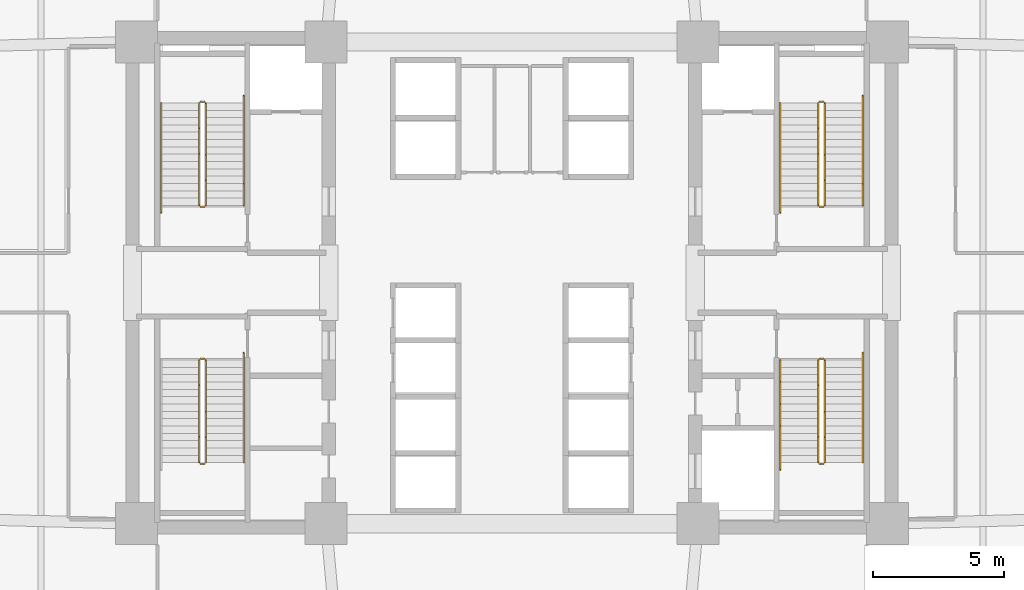
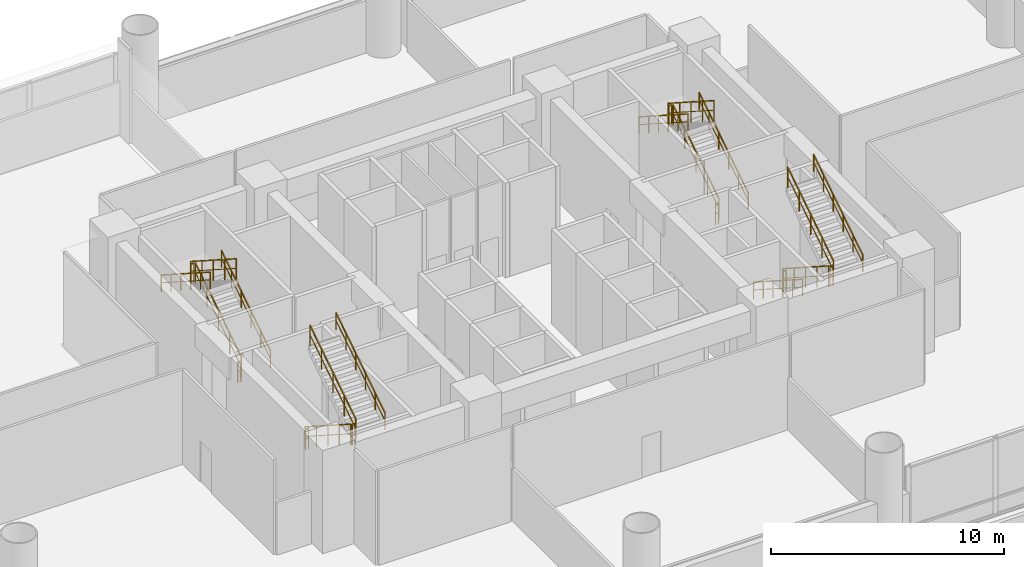
# One storey, part 11 of 12: 23 railings.
"""IFC4 building model written with IfcOpenShell, lengths in metres."""

from ifc_helpers import new_model, si_unit, direction, frame, origin, origin_2d, place, context, subcontext, project, spatial, rectangle, extrude, material, type_object, element, save


model = new_model("IFC4")

# Units and contexts
model_context = context("Model", 3, precision=1e-05, world=origin(), true_north=direction((0.0, 1.0)))
body_context = subcontext(model_context, "Body", "Model", "MODEL_VIEW")
ifc_project = project(units=[si_unit("LENGTHUNIT", "METRE"), si_unit("AREAUNIT", "SQUARE_METRE"), si_unit("VOLUMEUNIT", "CUBIC_METRE"), si_unit("PLANEANGLEUNIT", "RADIAN"), si_unit("MASSUNIT", "GRAM", prefix="KILO")], contexts=[model_context])

# Site, building, storey
site_placement = place(None, origin())
site = spatial("IfcSite", under=ifc_project, at=site_placement, CompositionType="ELEMENT")
building_placement = place(site_placement, origin())
building = spatial("IfcBuilding", under=site, at=building_placement, Name="Zahravan Cultural Tower", CompositionType="ELEMENT")
storey_placement = place(building_placement, frame((0.0, 0.0, 18.0)))
storey = spatial("IfcBuildingStorey", under=building, at=storey_placement, Name="L03", CompositionType="ELEMENT", Elevation=18.0)

# Railings
ifc_material = material(Name="Steel ASTM A572 Grade 50", Category="steel")
railing_type_1 = type_object("IfcRailingType", Name="RL-STAIR-GRD1150", PredefinedType="BALUSTRADE", material=ifc_material)
railing_1_placement = place(storey_placement, frame((24.300048828125, 29.949951171875, 0.179931640625)))
element("IfcRailing", 1, at=railing_1_placement, inside=storey, type_object=railing_type_1, Name="L03 ST-W1 stair guard 1", PredefinedType="BALUSTRADE", context=body_context, shape_type="SweptSolid", body=[
    extrude(rectangle(XDim=0.05, YDim=0.05, at=origin_2d()), frame((0.0, 0.0, 1.0751953125), z_axis=(0.0, 0.841186985886, 0.540744352514), x_axis=(-1.0, 0.0, 0.0)), (0.0, 0.0, 1.0), 4.660400390625),
    extrude(rectangle(XDim=0.032, YDim=0.032, at=origin_2d()), frame((0.0, 0.0, 0.572021484375), z_axis=(0.0, 0.841186985886, 0.540744352514), x_axis=(-1.0, 0.0, 0.0)), (0.0, 0.0, 1.0), 4.660400390625),
    extrude(rectangle(XDim=0.04, YDim=0.04, at=origin_2d()), origin(), (0.0, 0.0, 1.0), 1.10009765625),
    extrude(rectangle(XDim=0.04, YDim=0.04, at=origin_2d()), frame((0.0, 0.97998046875, 0.6298828125)), (0.0, 0.0, 1.0), 1.10009765625),
    extrude(rectangle(XDim=0.04, YDim=0.04, at=origin_2d()), frame((0.0, 1.9599609375, 1.260009765625)), (0.0, 0.0, 1.0), 1.10009765625),
    extrude(rectangle(XDim=0.04, YDim=0.04, at=origin_2d()), frame((0.0, 2.940185546875, 1.89013671875)), (0.0, 0.0, 1.0), 1.10009765625),
    extrude(rectangle(XDim=0.04, YDim=0.04, at=origin_2d()), frame((0.0, 3.920166015625, 2.52001953125)), (0.0, 0.0, 1.0), 1.10009765625),
])
railing_2_placement = place(storey_placement, frame((24.25, 33.919921875, 2.699951171875)))
element("IfcRailing", 2, at=railing_2_placement, inside=storey, type_object=railing_type_1, Name="L03 ST-W1 stair guard 2", PredefinedType="BALUSTRADE", context=body_context, shape_type="SweptSolid", body=[
    extrude(rectangle(XDim=0.05, YDim=0.05, at=origin_2d()), frame((0.0, 0.0, 1.0751953125), z_axis=(-1.0, 0.0, 0.0), x_axis=(0.0, -1.0, 0.0)), (0.0, 0.0, 1.0), 0.14990234375),
    extrude(rectangle(XDim=0.032, YDim=0.032, at=origin_2d()), frame((0.0, 0.0, 0.572021484375), z_axis=(-1.0, 0.0, 0.0), x_axis=(0.0, -1.0, 0.0)), (0.0, 0.0, 1.0), 0.14990234375),
    extrude(rectangle(XDim=0.04, YDim=0.04, at=origin_2d()), origin(), (0.0, 0.0, 1.0), 1.10009765625),
    extrude(rectangle(XDim=0.04, YDim=0.04, at=origin_2d()), frame((-0.14990234375, 0.0, 0.0)), (0.0, 0.0, 1.0), 1.10009765625),
])
railing_3_placement = place(storey_placement, frame((24.050048828125, 33.8701171875, 2.8798828125)))
element("IfcRailing", 3, at=railing_3_placement, inside=storey, type_object=railing_type_1, Name="L03 ST-W1 stair guard 3", PredefinedType="BALUSTRADE", context=body_context, shape_type="SweptSolid", body=[
    extrude(rectangle(XDim=0.05, YDim=0.05, at=origin_2d()), frame((0.0, 0.0, 1.0751953125), z_axis=(0.0, -0.841186985886, 0.540744352514), x_axis=(1.0, 0.0, 0.0)), (0.0, 0.0, 1.0), 4.660400390625),
    extrude(rectangle(XDim=0.032, YDim=0.032, at=origin_2d()), frame((0.0, 0.0, 0.572021484375), z_axis=(0.0, -0.841186985886, 0.540744352514), x_axis=(1.0, 0.0, 0.0)), (0.0, 0.0, 1.0), 4.660400390625),
    extrude(rectangle(XDim=0.04, YDim=0.04, at=origin_2d()), origin(), (0.0, 0.0, 1.0), 1.10009765625),
    extrude(rectangle(XDim=0.04, YDim=0.04, at=origin_2d()), frame((0.0, -0.97998046875, 0.6298828125)), (0.0, 0.0, 1.0), 1.10009765625),
    extrude(rectangle(XDim=0.04, YDim=0.04, at=origin_2d()), frame((0.0, -1.9599609375, 1.260009765625)), (0.0, 0.0, 1.0), 1.10009765625),
    extrude(rectangle(XDim=0.04, YDim=0.04, at=origin_2d()), frame((0.0, -2.940185546875, 1.89013671875)), (0.0, 0.0, 1.0), 1.10009765625),
    extrude(rectangle(XDim=0.04, YDim=0.04, at=origin_2d()), frame((0.0, -3.920166015625, 2.52001953125)), (0.0, 0.0, 1.0), 1.10009765625),
])
railing_4_placement = place(storey_placement, frame((24.25, 29.89990234375, 0.0)))
element("IfcRailing", 4, at=railing_4_placement, inside=storey, type_object=railing_type_1, Name="L03 ST-W1 stair guard 4", PredefinedType="BALUSTRADE", context=body_context, shape_type="SweptSolid", body=[
    extrude(rectangle(XDim=0.05, YDim=0.05, at=origin_2d()), frame((0.0, 0.0, 1.0751953125), z_axis=(-1.0, 0.0, 0.0), x_axis=(0.0, -1.0, 0.0)), (0.0, 0.0, 1.0), 0.14990234375),
    extrude(rectangle(XDim=0.032, YDim=0.032, at=origin_2d()), frame((0.0, 0.0, 0.572021484375), z_axis=(-1.0, 0.0, 0.0), x_axis=(0.0, -1.0, 0.0)), (0.0, 0.0, 1.0), 0.14990234375),
    extrude(rectangle(XDim=0.04, YDim=0.04, at=origin_2d()), origin(), (0.0, 0.0, 1.0), 1.10009765625),
    extrude(rectangle(XDim=0.04, YDim=0.04, at=origin_2d()), frame((-0.14990234375, 0.0, 0.0)), (0.0, 0.0, 1.0), 1.10009765625),
])
railing_5_placement = place(storey_placement, frame((24.050048828125, 24.050048828125, 0.179931640625)))
element("IfcRailing", 5, at=railing_5_placement, inside=storey, type_object=railing_type_1, Name="L03 ST-W2 stair guard 1", PredefinedType="BALUSTRADE", context=body_context, shape_type="SweptSolid", body=[
    extrude(rectangle(XDim=0.05, YDim=0.05, at=origin_2d()), frame((0.0, 0.0, 1.0751953125), z_axis=(0.0, -0.841186985886, 0.540744352514), x_axis=(1.0, 0.0, 0.0)), (0.0, 0.0, 1.0), 4.660400390625),
    extrude(rectangle(XDim=0.032, YDim=0.032, at=origin_2d()), frame((0.0, 0.0, 0.572021484375), z_axis=(0.0, -0.841186985886, 0.540744352514), x_axis=(1.0, 0.0, 0.0)), (0.0, 0.0, 1.0), 4.660400390625),
    extrude(rectangle(XDim=0.04, YDim=0.04, at=origin_2d()), origin(), (0.0, 0.0, 1.0), 1.10009765625),
    extrude(rectangle(XDim=0.04, YDim=0.04, at=origin_2d()), frame((0.0, -0.97998046875, 0.6298828125)), (0.0, 0.0, 1.0), 1.10009765625),
    extrude(rectangle(XDim=0.04, YDim=0.04, at=origin_2d()), frame((0.0, -1.9599609375, 1.260009765625)), (0.0, 0.0, 1.0), 1.10009765625),
    extrude(rectangle(XDim=0.04, YDim=0.04, at=origin_2d()), frame((0.0, -2.940185546875, 1.89013671875)), (0.0, 0.0, 1.0), 1.10009765625),
    extrude(rectangle(XDim=0.04, YDim=0.04, at=origin_2d()), frame((0.0, -3.920166015625, 2.52001953125)), (0.0, 0.0, 1.0), 1.10009765625),
])
railing_6_placement = place(storey_placement, frame((24.10009765625, 20.080078125, 2.699951171875)))
element("IfcRailing", 6, at=railing_6_placement, inside=storey, type_object=railing_type_1, Name="L03 ST-W2 stair guard 2", PredefinedType="BALUSTRADE", context=body_context, shape_type="SweptSolid", body=[
    extrude(rectangle(XDim=0.05, YDim=0.05, at=origin_2d()), frame((0.0, 0.0, 1.0751953125), z_axis=(1.0, 0.0, 0.0), x_axis=(0.0, 1.0, 0.0)), (0.0, 0.0, 1.0), 0.14990234375),
    extrude(rectangle(XDim=0.032, YDim=0.032, at=origin_2d()), frame((0.0, 0.0, 0.572021484375), z_axis=(1.0, 0.0, 0.0), x_axis=(0.0, 1.0, 0.0)), (0.0, 0.0, 1.0), 0.14990234375),
    extrude(rectangle(XDim=0.04, YDim=0.04, at=origin_2d()), origin(), (0.0, 0.0, 1.0), 1.10009765625),
    extrude(rectangle(XDim=0.04, YDim=0.04, at=origin_2d()), frame((0.14990234375, 0.0, 0.0)), (0.0, 0.0, 1.0), 1.10009765625),
])
railing_7_placement = place(storey_placement, frame((24.300048828125, 20.1298828125, 2.8798828125)))
element("IfcRailing", 7, at=railing_7_placement, inside=storey, type_object=railing_type_1, Name="L03 ST-W2 stair guard 3", PredefinedType="BALUSTRADE", context=body_context, shape_type="SweptSolid", body=[
    extrude(rectangle(XDim=0.05, YDim=0.05, at=origin_2d()), frame((0.0, 0.0, 1.0751953125), z_axis=(0.0, 0.841186985886, 0.540744352514), x_axis=(-1.0, 0.0, 0.0)), (0.0, 0.0, 1.0), 4.660400390625),
    extrude(rectangle(XDim=0.032, YDim=0.032, at=origin_2d()), frame((0.0, 0.0, 0.572021484375), z_axis=(0.0, 0.841186985886, 0.540744352514), x_axis=(-1.0, 0.0, 0.0)), (0.0, 0.0, 1.0), 4.660400390625),
    extrude(rectangle(XDim=0.04, YDim=0.04, at=origin_2d()), origin(), (0.0, 0.0, 1.0), 1.10009765625),
    extrude(rectangle(XDim=0.04, YDim=0.04, at=origin_2d()), frame((0.0, 0.97998046875, 0.6298828125)), (0.0, 0.0, 1.0), 1.10009765625),
    extrude(rectangle(XDim=0.04, YDim=0.04, at=origin_2d()), frame((0.0, 1.9599609375, 1.260009765625)), (0.0, 0.0, 1.0), 1.10009765625),
    extrude(rectangle(XDim=0.04, YDim=0.04, at=origin_2d()), frame((0.0, 2.940185546875, 1.89013671875)), (0.0, 0.0, 1.0), 1.10009765625),
    extrude(rectangle(XDim=0.04, YDim=0.04, at=origin_2d()), frame((0.0, 3.920166015625, 2.52001953125)), (0.0, 0.0, 1.0), 1.10009765625),
])
railing_8_placement = place(storey_placement, frame((24.10009765625, 24.10009765625, 0.0)))
element("IfcRailing", 8, at=railing_8_placement, inside=storey, type_object=railing_type_1, Name="L03 ST-W2 stair guard 4", PredefinedType="BALUSTRADE", context=body_context, shape_type="SweptSolid", body=[
    extrude(rectangle(XDim=0.05, YDim=0.05, at=origin_2d()), frame((0.0, 0.0, 1.0751953125), z_axis=(1.0, 0.0, 0.0), x_axis=(0.0, 1.0, 0.0)), (0.0, 0.0, 1.0), 0.14990234375),
    extrude(rectangle(XDim=0.032, YDim=0.032, at=origin_2d()), frame((0.0, 0.0, 0.572021484375), z_axis=(1.0, 0.0, 0.0), x_axis=(0.0, 1.0, 0.0)), (0.0, 0.0, 1.0), 0.14990234375),
    extrude(rectangle(XDim=0.04, YDim=0.04, at=origin_2d()), origin(), (0.0, 0.0, 1.0), 1.10009765625),
    extrude(rectangle(XDim=0.04, YDim=0.04, at=origin_2d()), frame((0.14990234375, 0.0, 0.0)), (0.0, 0.0, 1.0), 1.10009765625),
])
railing_9_placement = place(storey_placement, frame((47.949951171875, 29.949951171875, 0.179931640625)))
element("IfcRailing", 9, at=railing_9_placement, inside=storey, type_object=railing_type_1, Name="L03 ST-E1 stair guard 1", PredefinedType="BALUSTRADE", context=body_context, shape_type="SweptSolid", body=[
    extrude(rectangle(XDim=0.05, YDim=0.05, at=origin_2d()), frame((0.0, 0.0, 1.0751953125), z_axis=(0.0, 0.841186985886, 0.540744352514), x_axis=(-1.0, 0.0, 0.0)), (0.0, 0.0, 1.0), 4.660400390625),
    extrude(rectangle(XDim=0.032, YDim=0.032, at=origin_2d()), frame((0.0, 0.0, 0.572021484375), z_axis=(0.0, 0.841186985886, 0.540744352514), x_axis=(-1.0, 0.0, 0.0)), (0.0, 0.0, 1.0), 4.660400390625),
    extrude(rectangle(XDim=0.04, YDim=0.04, at=origin_2d()), origin(), (0.0, 0.0, 1.0), 1.10009765625),
    extrude(rectangle(XDim=0.04, YDim=0.04, at=origin_2d()), frame((0.0, 0.97998046875, 0.6298828125)), (0.0, 0.0, 1.0), 1.10009765625),
    extrude(rectangle(XDim=0.04, YDim=0.04, at=origin_2d()), frame((0.0, 1.9599609375, 1.260009765625)), (0.0, 0.0, 1.0), 1.10009765625),
    extrude(rectangle(XDim=0.04, YDim=0.04, at=origin_2d()), frame((0.0, 2.940185546875, 1.89013671875)), (0.0, 0.0, 1.0), 1.10009765625),
    extrude(rectangle(XDim=0.04, YDim=0.04, at=origin_2d()), frame((0.0, 3.920166015625, 2.52001953125)), (0.0, 0.0, 1.0), 1.10009765625),
])
railing_10_placement = place(storey_placement, frame((47.89990234375, 33.919921875, 2.699951171875)))
element("IfcRailing", 10, at=railing_10_placement, inside=storey, type_object=railing_type_1, Name="L03 ST-E1 stair guard 2", PredefinedType="BALUSTRADE", context=body_context, shape_type="SweptSolid", body=[
    extrude(rectangle(XDim=0.05, YDim=0.05, at=origin_2d()), frame((0.0, 0.0, 1.0751953125), z_axis=(-1.0, 0.0, 0.0), x_axis=(0.0, -1.0, 0.0)), (0.0, 0.0, 1.0), 0.14990234375),
    extrude(rectangle(XDim=0.032, YDim=0.032, at=origin_2d()), frame((0.0, 0.0, 0.572021484375), z_axis=(-1.0, 0.0, 0.0), x_axis=(0.0, -1.0, 0.0)), (0.0, 0.0, 1.0), 0.14990234375),
    extrude(rectangle(XDim=0.04, YDim=0.04, at=origin_2d()), origin(), (0.0, 0.0, 1.0), 1.10009765625),
    extrude(rectangle(XDim=0.04, YDim=0.04, at=origin_2d()), frame((-0.14990234375, 0.0, 0.0)), (0.0, 0.0, 1.0), 1.10009765625),
])
railing_11_placement = place(storey_placement, frame((47.699951171875, 33.8701171875, 2.8798828125)))
element("IfcRailing", 11, at=railing_11_placement, inside=storey, type_object=railing_type_1, Name="L03 ST-E1 stair guard 3", PredefinedType="BALUSTRADE", context=body_context, shape_type="SweptSolid", body=[
    extrude(rectangle(XDim=0.05, YDim=0.05, at=origin_2d()), frame((0.0, 0.0, 1.0751953125), z_axis=(0.0, -0.841186985886, 0.540744352514), x_axis=(1.0, 0.0, 0.0)), (0.0, 0.0, 1.0), 4.660400390625),
    extrude(rectangle(XDim=0.032, YDim=0.032, at=origin_2d()), frame((0.0, 0.0, 0.572021484375), z_axis=(0.0, -0.841186985886, 0.540744352514), x_axis=(1.0, 0.0, 0.0)), (0.0, 0.0, 1.0), 4.660400390625),
    extrude(rectangle(XDim=0.04, YDim=0.04, at=origin_2d()), origin(), (0.0, 0.0, 1.0), 1.10009765625),
    extrude(rectangle(XDim=0.04, YDim=0.04, at=origin_2d()), frame((0.0, -0.97998046875, 0.6298828125)), (0.0, 0.0, 1.0), 1.10009765625),
    extrude(rectangle(XDim=0.04, YDim=0.04, at=origin_2d()), frame((0.0, -1.9599609375, 1.260009765625)), (0.0, 0.0, 1.0), 1.10009765625),
    extrude(rectangle(XDim=0.04, YDim=0.04, at=origin_2d()), frame((0.0, -2.940185546875, 1.89013671875)), (0.0, 0.0, 1.0), 1.10009765625),
    extrude(rectangle(XDim=0.04, YDim=0.04, at=origin_2d()), frame((0.0, -3.920166015625, 2.52001953125)), (0.0, 0.0, 1.0), 1.10009765625),
])
railing_12_placement = place(storey_placement, frame((47.89990234375, 29.89990234375, 0.0)))
element("IfcRailing", 12, at=railing_12_placement, inside=storey, type_object=railing_type_1, Name="L03 ST-E1 stair guard 4", PredefinedType="BALUSTRADE", context=body_context, shape_type="SweptSolid", body=[
    extrude(rectangle(XDim=0.05, YDim=0.05, at=origin_2d()), frame((0.0, 0.0, 1.0751953125), z_axis=(-1.0, 0.0, 0.0), x_axis=(0.0, -1.0, 0.0)), (0.0, 0.0, 1.0), 0.14990234375),
    extrude(rectangle(XDim=0.032, YDim=0.032, at=origin_2d()), frame((0.0, 0.0, 0.572021484375), z_axis=(-1.0, 0.0, 0.0), x_axis=(0.0, -1.0, 0.0)), (0.0, 0.0, 1.0), 0.14990234375),
    extrude(rectangle(XDim=0.04, YDim=0.04, at=origin_2d()), origin(), (0.0, 0.0, 1.0), 1.10009765625),
    extrude(rectangle(XDim=0.04, YDim=0.04, at=origin_2d()), frame((-0.14990234375, 0.0, 0.0)), (0.0, 0.0, 1.0), 1.10009765625),
])
railing_13_placement = place(storey_placement, frame((47.699951171875, 24.050048828125, 0.179931640625)))
element("IfcRailing", 13, at=railing_13_placement, inside=storey, type_object=railing_type_1, Name="L03 ST-E2 stair guard 1", PredefinedType="BALUSTRADE", context=body_context, shape_type="SweptSolid", body=[
    extrude(rectangle(XDim=0.05, YDim=0.05, at=origin_2d()), frame((0.0, 0.0, 1.0751953125), z_axis=(0.0, -0.841186985886, 0.540744352514), x_axis=(1.0, 0.0, 0.0)), (0.0, 0.0, 1.0), 4.660400390625),
    extrude(rectangle(XDim=0.032, YDim=0.032, at=origin_2d()), frame((0.0, 0.0, 0.572021484375), z_axis=(0.0, -0.841186985886, 0.540744352514), x_axis=(1.0, 0.0, 0.0)), (0.0, 0.0, 1.0), 4.660400390625),
    extrude(rectangle(XDim=0.04, YDim=0.04, at=origin_2d()), origin(), (0.0, 0.0, 1.0), 1.10009765625),
    extrude(rectangle(XDim=0.04, YDim=0.04, at=origin_2d()), frame((0.0, -0.97998046875, 0.6298828125)), (0.0, 0.0, 1.0), 1.10009765625),
    extrude(rectangle(XDim=0.04, YDim=0.04, at=origin_2d()), frame((0.0, -1.9599609375, 1.260009765625)), (0.0, 0.0, 1.0), 1.10009765625),
    extrude(rectangle(XDim=0.04, YDim=0.04, at=origin_2d()), frame((0.0, -2.940185546875, 1.89013671875)), (0.0, 0.0, 1.0), 1.10009765625),
    extrude(rectangle(XDim=0.04, YDim=0.04, at=origin_2d()), frame((0.0, -3.920166015625, 2.52001953125)), (0.0, 0.0, 1.0), 1.10009765625),
])
railing_14_placement = place(storey_placement, frame((47.75, 20.080078125, 2.699951171875)))
element("IfcRailing", 14, at=railing_14_placement, inside=storey, type_object=railing_type_1, Name="L03 ST-E2 stair guard 2", PredefinedType="BALUSTRADE", context=body_context, shape_type="SweptSolid", body=[
    extrude(rectangle(XDim=0.05, YDim=0.05, at=origin_2d()), frame((0.0, 0.0, 1.0751953125), z_axis=(1.0, 0.0, 0.0), x_axis=(0.0, 1.0, 0.0)), (0.0, 0.0, 1.0), 0.14990234375),
    extrude(rectangle(XDim=0.032, YDim=0.032, at=origin_2d()), frame((0.0, 0.0, 0.572021484375), z_axis=(1.0, 0.0, 0.0), x_axis=(0.0, 1.0, 0.0)), (0.0, 0.0, 1.0), 0.14990234375),
    extrude(rectangle(XDim=0.04, YDim=0.04, at=origin_2d()), origin(), (0.0, 0.0, 1.0), 1.10009765625),
    extrude(rectangle(XDim=0.04, YDim=0.04, at=origin_2d()), frame((0.14990234375, 0.0, 0.0)), (0.0, 0.0, 1.0), 1.10009765625),
])
railing_15_placement = place(storey_placement, frame((47.949951171875, 20.1298828125, 2.8798828125)))
element("IfcRailing", 15, at=railing_15_placement, inside=storey, type_object=railing_type_1, Name="L03 ST-E2 stair guard 3", PredefinedType="BALUSTRADE", context=body_context, shape_type="SweptSolid", body=[
    extrude(rectangle(XDim=0.05, YDim=0.05, at=origin_2d()), frame((0.0, 0.0, 1.0751953125), z_axis=(0.0, 0.841186985886, 0.540744352514), x_axis=(-1.0, 0.0, 0.0)), (0.0, 0.0, 1.0), 4.660400390625),
    extrude(rectangle(XDim=0.032, YDim=0.032, at=origin_2d()), frame((0.0, 0.0, 0.572021484375), z_axis=(0.0, 0.841186985886, 0.540744352514), x_axis=(-1.0, 0.0, 0.0)), (0.0, 0.0, 1.0), 4.660400390625),
    extrude(rectangle(XDim=0.04, YDim=0.04, at=origin_2d()), origin(), (0.0, 0.0, 1.0), 1.10009765625),
    extrude(rectangle(XDim=0.04, YDim=0.04, at=origin_2d()), frame((0.0, 0.97998046875, 0.6298828125)), (0.0, 0.0, 1.0), 1.10009765625),
    extrude(rectangle(XDim=0.04, YDim=0.04, at=origin_2d()), frame((0.0, 1.9599609375, 1.260009765625)), (0.0, 0.0, 1.0), 1.10009765625),
    extrude(rectangle(XDim=0.04, YDim=0.04, at=origin_2d()), frame((0.0, 2.940185546875, 1.89013671875)), (0.0, 0.0, 1.0), 1.10009765625),
    extrude(rectangle(XDim=0.04, YDim=0.04, at=origin_2d()), frame((0.0, 3.920166015625, 2.52001953125)), (0.0, 0.0, 1.0), 1.10009765625),
])
railing_16_placement = place(storey_placement, frame((47.75, 24.10009765625, 0.0)))
element("IfcRailing", 16, at=railing_16_placement, inside=storey, type_object=railing_type_1, Name="L03 ST-E2 stair guard 4", PredefinedType="BALUSTRADE", context=body_context, shape_type="SweptSolid", body=[
    extrude(rectangle(XDim=0.05, YDim=0.05, at=origin_2d()), frame((0.0, 0.0, 1.0751953125), z_axis=(1.0, 0.0, 0.0), x_axis=(0.0, 1.0, 0.0)), (0.0, 0.0, 1.0), 0.14990234375),
    extrude(rectangle(XDim=0.032, YDim=0.032, at=origin_2d()), frame((0.0, 0.0, 0.572021484375), z_axis=(1.0, 0.0, 0.0), x_axis=(0.0, 1.0, 0.0)), (0.0, 0.0, 1.0), 0.14990234375),
    extrude(rectangle(XDim=0.04, YDim=0.04, at=origin_2d()), origin(), (0.0, 0.0, 1.0), 1.10009765625),
    extrude(rectangle(XDim=0.04, YDim=0.04, at=origin_2d()), frame((0.14990234375, 0.0, 0.0)), (0.0, 0.0, 1.0), 1.10009765625),
])
railing_type_2 = type_object("IfcRailingType", Name="RL-STAIR-HR900", PredefinedType="HANDRAIL", material=ifc_material)
railing_17_placement = place(storey_placement, frame((25.75, 29.949951171875, 0.179931640625)))
element("IfcRailing", 17, at=railing_17_placement, inside=storey, type_object=railing_type_2, Name="L03 ST-W1 stair handrail 1", PredefinedType="HANDRAIL", context=body_context, shape_type="SweptSolid", body=[
    extrude(rectangle(XDim=0.05, YDim=0.05, at=origin_2d()), frame((0.0, 0.0, 0.875), z_axis=(0.0, 0.841180064094, 0.540755119968), x_axis=(-1.0, 0.0, 0.0)), (0.0, 0.0, 1.0), 4.992919921875),
    extrude(rectangle(XDim=0.032, YDim=0.032, at=origin_2d()), frame((0.0, 0.0, 0.468017578125), z_axis=(0.0, 0.841180064094, 0.540755119968), x_axis=(-1.0, 0.0, 0.0)), (0.0, 0.0, 1.0), 4.992919921875),
    extrude(rectangle(XDim=0.04, YDim=0.04, at=origin_2d()), origin(), (0.0, 0.0, 1.0), 0.89990234375),
    extrude(rectangle(XDim=0.04, YDim=0.04, at=origin_2d()), frame((0.0, 0.840087890625, 0.5400390625)), (0.0, 0.0, 1.0), 0.89990234375),
    extrude(rectangle(XDim=0.04, YDim=0.04, at=origin_2d()), frame((0.0, 1.679931640625, 1.080078125)), (0.0, 0.0, 1.0), 0.89990234375),
    extrude(rectangle(XDim=0.04, YDim=0.04, at=origin_2d()), frame((0.0, 2.52001953125, 1.619873046875)), (0.0, 0.0, 1.0), 0.89990234375),
    extrude(rectangle(XDim=0.04, YDim=0.04, at=origin_2d()), frame((0.0, 3.35986328125, 2.159912109375)), (0.0, 0.0, 1.0), 0.89990234375),
    extrude(rectangle(XDim=0.04, YDim=0.04, at=origin_2d()), frame((0.0, 4.199951171875, 2.699951171875)), (0.0, 0.0, 1.0), 0.89990234375),
])
railing_18_placement = place(storey_placement, frame((22.60009765625, 33.8701171875, 2.8798828125)))
element("IfcRailing", 18, at=railing_18_placement, inside=storey, type_object=railing_type_2, Name="L03 ST-W1 stair handrail 2", PredefinedType="HANDRAIL", context=body_context, shape_type="SweptSolid", body=[
    extrude(rectangle(XDim=0.05, YDim=0.05, at=origin_2d()), frame((0.0, 0.0, 0.875), z_axis=(0.0, -0.841172120866, 0.540767475981), x_axis=(1.0, 0.0, 0.0)), (0.0, 0.0, 1.0), 4.9931640625),
    extrude(rectangle(XDim=0.032, YDim=0.032, at=origin_2d()), frame((0.0, 0.0, 0.468017578125), z_axis=(0.0, -0.841172120866, 0.540767475981), x_axis=(1.0, 0.0, 0.0)), (0.0, 0.0, 1.0), 4.9931640625),
    extrude(rectangle(XDim=0.04, YDim=0.04, at=origin_2d()), origin(), (0.0, 0.0, 1.0), 0.89990234375),
    extrude(rectangle(XDim=0.04, YDim=0.04, at=origin_2d()), frame((0.0, -0.840087890625, 0.5400390625)), (0.0, 0.0, 1.0), 0.89990234375),
    extrude(rectangle(XDim=0.04, YDim=0.04, at=origin_2d()), frame((0.0, -1.68017578125, 1.080078125)), (0.0, 0.0, 1.0), 0.89990234375),
    extrude(rectangle(XDim=0.04, YDim=0.04, at=origin_2d()), frame((0.0, -2.52001953125, 1.6201171875)), (0.0, 0.0, 1.0), 0.89990234375),
    extrude(rectangle(XDim=0.04, YDim=0.04, at=origin_2d()), frame((0.0, -3.360107421875, 2.16015625)), (0.0, 0.0, 1.0), 0.89990234375),
    extrude(rectangle(XDim=0.04, YDim=0.04, at=origin_2d()), frame((0.0, -4.2001953125, 2.7001953125)), (0.0, 0.0, 1.0), 0.89990234375),
])
railing_19_placement = place(storey_placement, frame((25.75, 20.1298828125, 2.8798828125)))
element("IfcRailing", 19, at=railing_19_placement, inside=storey, type_object=railing_type_2, Name="L03 ST-W2 stair handrail 2", PredefinedType="HANDRAIL", context=body_context, shape_type="SweptSolid", body=[
    extrude(rectangle(XDim=0.05, YDim=0.05, at=origin_2d()), frame((0.0, 0.0, 0.875), z_axis=(0.0, 0.841172120866, 0.540767475981), x_axis=(-1.0, 0.0, 0.0)), (0.0, 0.0, 1.0), 4.9931640625),
    extrude(rectangle(XDim=0.032, YDim=0.032, at=origin_2d()), frame((0.0, 0.0, 0.468017578125), z_axis=(0.0, 0.841172120866, 0.540767475981), x_axis=(-1.0, 0.0, 0.0)), (0.0, 0.0, 1.0), 4.9931640625),
    extrude(rectangle(XDim=0.04, YDim=0.04, at=origin_2d()), origin(), (0.0, 0.0, 1.0), 0.89990234375),
    extrude(rectangle(XDim=0.04, YDim=0.04, at=origin_2d()), frame((0.0, 0.840087890625, 0.5400390625)), (0.0, 0.0, 1.0), 0.89990234375),
    extrude(rectangle(XDim=0.04, YDim=0.04, at=origin_2d()), frame((0.0, 1.68017578125, 1.080078125)), (0.0, 0.0, 1.0), 0.89990234375),
    extrude(rectangle(XDim=0.04, YDim=0.04, at=origin_2d()), frame((0.0, 2.52001953125, 1.6201171875)), (0.0, 0.0, 1.0), 0.89990234375),
    extrude(rectangle(XDim=0.04, YDim=0.04, at=origin_2d()), frame((0.0, 3.360107421875, 2.16015625)), (0.0, 0.0, 1.0), 0.89990234375),
    extrude(rectangle(XDim=0.04, YDim=0.04, at=origin_2d()), frame((0.0, 4.2001953125, 2.7001953125)), (0.0, 0.0, 1.0), 0.89990234375),
])
railing_20_placement = place(storey_placement, frame((49.39990234375, 29.949951171875, 0.179931640625)))
element("IfcRailing", 20, at=railing_20_placement, inside=storey, type_object=railing_type_2, Name="L03 ST-E1 stair handrail 1", PredefinedType="HANDRAIL", context=body_context, shape_type="SweptSolid", body=[
    extrude(rectangle(XDim=0.05, YDim=0.05, at=origin_2d()), frame((0.0, 0.0, 0.875), z_axis=(0.0, 0.841180064094, 0.540755119968), x_axis=(-1.0, 0.0, 0.0)), (0.0, 0.0, 1.0), 4.992919921875),
    extrude(rectangle(XDim=0.032, YDim=0.032, at=origin_2d()), frame((0.0, 0.0, 0.468017578125), z_axis=(0.0, 0.841180064094, 0.540755119968), x_axis=(-1.0, 0.0, 0.0)), (0.0, 0.0, 1.0), 4.992919921875),
    extrude(rectangle(XDim=0.04, YDim=0.04, at=origin_2d()), origin(), (0.0, 0.0, 1.0), 0.89990234375),
    extrude(rectangle(XDim=0.04, YDim=0.04, at=origin_2d()), frame((0.0, 0.840087890625, 0.5400390625)), (0.0, 0.0, 1.0), 0.89990234375),
    extrude(rectangle(XDim=0.04, YDim=0.04, at=origin_2d()), frame((0.0, 1.679931640625, 1.080078125)), (0.0, 0.0, 1.0), 0.89990234375),
    extrude(rectangle(XDim=0.04, YDim=0.04, at=origin_2d()), frame((0.0, 2.52001953125, 1.619873046875)), (0.0, 0.0, 1.0), 0.89990234375),
    extrude(rectangle(XDim=0.04, YDim=0.04, at=origin_2d()), frame((0.0, 3.35986328125, 2.159912109375)), (0.0, 0.0, 1.0), 0.89990234375),
    extrude(rectangle(XDim=0.04, YDim=0.04, at=origin_2d()), frame((0.0, 4.199951171875, 2.699951171875)), (0.0, 0.0, 1.0), 0.89990234375),
])
railing_21_placement = place(storey_placement, frame((46.25, 33.8701171875, 2.8798828125)))
element("IfcRailing", 21, at=railing_21_placement, inside=storey, type_object=railing_type_2, Name="L03 ST-E1 stair handrail 2", PredefinedType="HANDRAIL", context=body_context, shape_type="SweptSolid", body=[
    extrude(rectangle(XDim=0.05, YDim=0.05, at=origin_2d()), frame((0.0, 0.0, 0.875), z_axis=(0.0, -0.841172120866, 0.540767475981), x_axis=(1.0, 0.0, 0.0)), (0.0, 0.0, 1.0), 4.9931640625),
    extrude(rectangle(XDim=0.032, YDim=0.032, at=origin_2d()), frame((0.0, 0.0, 0.468017578125), z_axis=(0.0, -0.841172120866, 0.540767475981), x_axis=(1.0, 0.0, 0.0)), (0.0, 0.0, 1.0), 4.9931640625),
    extrude(rectangle(XDim=0.04, YDim=0.04, at=origin_2d()), origin(), (0.0, 0.0, 1.0), 0.89990234375),
    extrude(rectangle(XDim=0.04, YDim=0.04, at=origin_2d()), frame((0.0, -0.840087890625, 0.5400390625)), (0.0, 0.0, 1.0), 0.89990234375),
    extrude(rectangle(XDim=0.04, YDim=0.04, at=origin_2d()), frame((0.0, -1.68017578125, 1.080078125)), (0.0, 0.0, 1.0), 0.89990234375),
    extrude(rectangle(XDim=0.04, YDim=0.04, at=origin_2d()), frame((0.0, -2.52001953125, 1.6201171875)), (0.0, 0.0, 1.0), 0.89990234375),
    extrude(rectangle(XDim=0.04, YDim=0.04, at=origin_2d()), frame((0.0, -3.360107421875, 2.16015625)), (0.0, 0.0, 1.0), 0.89990234375),
    extrude(rectangle(XDim=0.04, YDim=0.04, at=origin_2d()), frame((0.0, -4.2001953125, 2.7001953125)), (0.0, 0.0, 1.0), 0.89990234375),
])
railing_22_placement = place(storey_placement, frame((46.25, 24.050048828125, 0.179931640625)))
element("IfcRailing", 22, at=railing_22_placement, inside=storey, type_object=railing_type_2, Name="L03 ST-E2 stair handrail 1", PredefinedType="HANDRAIL", context=body_context, shape_type="SweptSolid", body=[
    extrude(rectangle(XDim=0.05, YDim=0.05, at=origin_2d()), frame((0.0, 0.0, 0.875), z_axis=(0.0, -0.841180064094, 0.540755119968), x_axis=(1.0, 0.0, 0.0)), (0.0, 0.0, 1.0), 4.992919921875),
    extrude(rectangle(XDim=0.032, YDim=0.032, at=origin_2d()), frame((0.0, 0.0, 0.468017578125), z_axis=(0.0, -0.841180064094, 0.540755119968), x_axis=(1.0, 0.0, 0.0)), (0.0, 0.0, 1.0), 4.992919921875),
    extrude(rectangle(XDim=0.04, YDim=0.04, at=origin_2d()), origin(), (0.0, 0.0, 1.0), 0.89990234375),
    extrude(rectangle(XDim=0.04, YDim=0.04, at=origin_2d()), frame((0.0, -0.840087890625, 0.5400390625)), (0.0, 0.0, 1.0), 0.89990234375),
    extrude(rectangle(XDim=0.04, YDim=0.04, at=origin_2d()), frame((0.0, -1.679931640625, 1.080078125)), (0.0, 0.0, 1.0), 0.89990234375),
    extrude(rectangle(XDim=0.04, YDim=0.04, at=origin_2d()), frame((0.0, -2.52001953125, 1.619873046875)), (0.0, 0.0, 1.0), 0.89990234375),
    extrude(rectangle(XDim=0.04, YDim=0.04, at=origin_2d()), frame((0.0, -3.35986328125, 2.159912109375)), (0.0, 0.0, 1.0), 0.89990234375),
    extrude(rectangle(XDim=0.04, YDim=0.04, at=origin_2d()), frame((0.0, -4.199951171875, 2.699951171875)), (0.0, 0.0, 1.0), 0.89990234375),
])
railing_23_placement = place(storey_placement, frame((49.39990234375, 20.1298828125, 2.8798828125)))
element("IfcRailing", 23, at=railing_23_placement, inside=storey, type_object=railing_type_2, Name="L03 ST-E2 stair handrail 2", PredefinedType="HANDRAIL", context=body_context, shape_type="SweptSolid", body=[
    extrude(rectangle(XDim=0.05, YDim=0.05, at=origin_2d()), frame((0.0, 0.0, 0.875), z_axis=(0.0, 0.841172120866, 0.540767475981), x_axis=(-1.0, 0.0, 0.0)), (0.0, 0.0, 1.0), 4.9931640625),
    extrude(rectangle(XDim=0.032, YDim=0.032, at=origin_2d()), frame((0.0, 0.0, 0.468017578125), z_axis=(0.0, 0.841172120866, 0.540767475981), x_axis=(-1.0, 0.0, 0.0)), (0.0, 0.0, 1.0), 4.9931640625),
    extrude(rectangle(XDim=0.04, YDim=0.04, at=origin_2d()), origin(), (0.0, 0.0, 1.0), 0.89990234375),
    extrude(rectangle(XDim=0.04, YDim=0.04, at=origin_2d()), frame((0.0, 0.840087890625, 0.5400390625)), (0.0, 0.0, 1.0), 0.89990234375),
    extrude(rectangle(XDim=0.04, YDim=0.04, at=origin_2d()), frame((0.0, 1.68017578125, 1.080078125)), (0.0, 0.0, 1.0), 0.89990234375),
    extrude(rectangle(XDim=0.04, YDim=0.04, at=origin_2d()), frame((0.0, 2.52001953125, 1.6201171875)), (0.0, 0.0, 1.0), 0.89990234375),
    extrude(rectangle(XDim=0.04, YDim=0.04, at=origin_2d()), frame((0.0, 3.360107421875, 2.16015625)), (0.0, 0.0, 1.0), 0.89990234375),
    extrude(rectangle(XDim=0.04, YDim=0.04, at=origin_2d()), frame((0.0, 4.2001953125, 2.7001953125)), (0.0, 0.0, 1.0), 0.89990234375),
])

save(model, "model.ifc")
